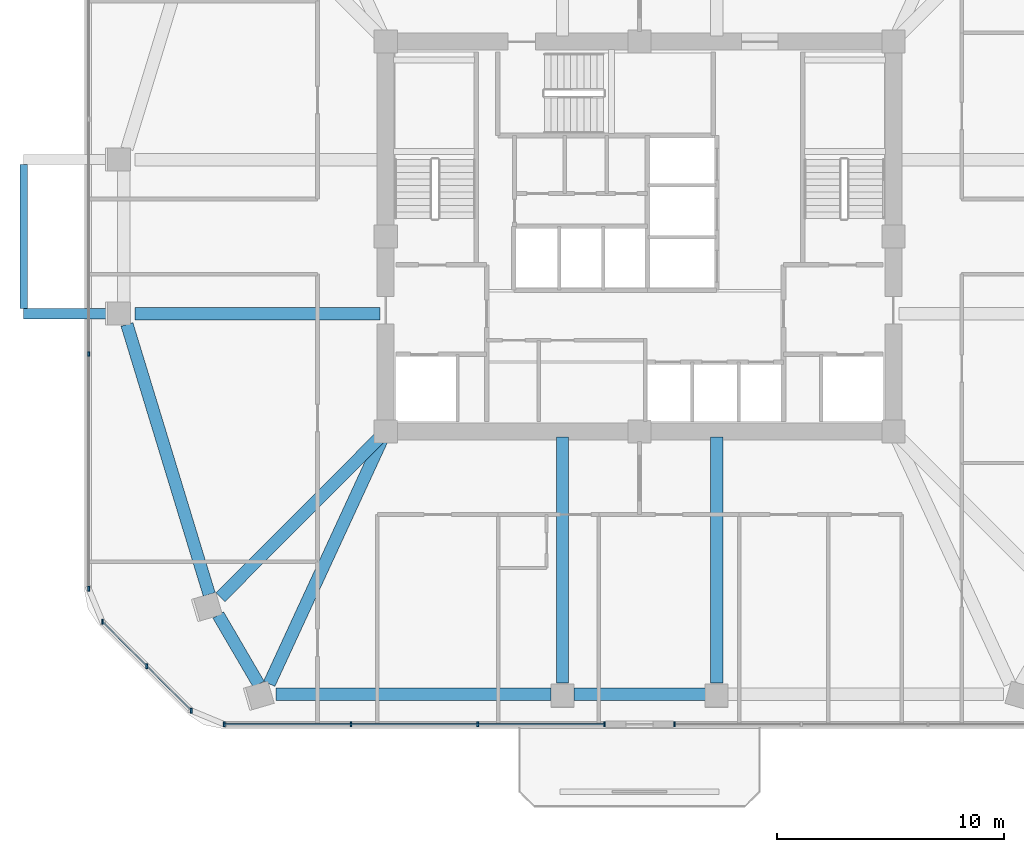
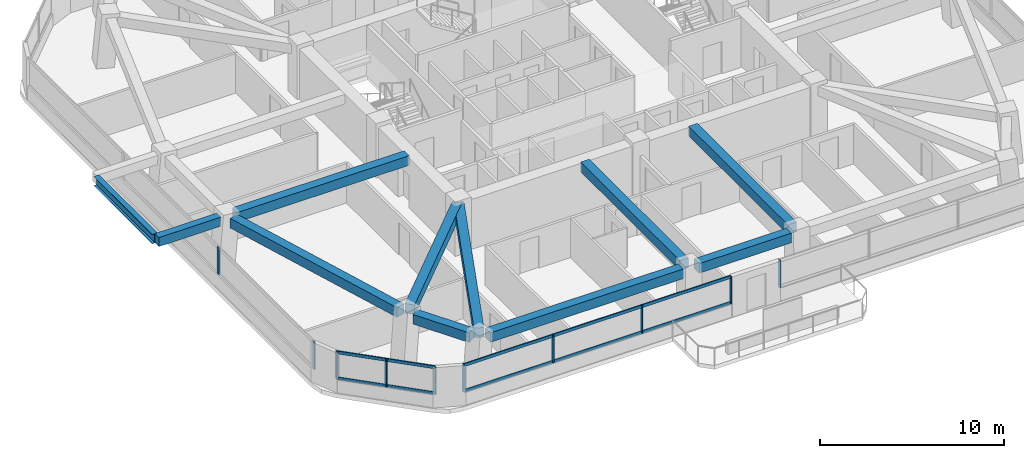
# One storey, part 2 of 13: 14 members, 11 beams, 4 elements without a shape of their own.
"""IFC4 building model written with IfcOpenShell, lengths in metres."""

from ifc_helpers import new_model, si_unit, derived_unit, direction, frame, origin, origin_2d, place, context, subcontext, project, spatial, rectangle, i_section, extrude, material, material_profile, profile_set, type_object, element, aggregate, save


model = new_model("IFC4")

# Units and contexts
model_context = context("Model", 3, precision=1e-05, world=origin(), true_north=direction((0.0, 1.0)))
body_context = subcontext(model_context, "Body", "Model", "MODEL_VIEW")
ifc_project = project(units=[si_unit("LENGTHUNIT", "METRE"), si_unit("AREAUNIT", "SQUARE_METRE"), si_unit("VOLUMEUNIT", "CUBIC_METRE"), si_unit("PLANEANGLEUNIT", "RADIAN"), si_unit("MASSUNIT", "GRAM", prefix="KILO"), derived_unit("THERMALTRANSMITTANCEUNIT", [(si_unit("POWERUNIT", "WATT"), 1), (si_unit("LENGTHUNIT", "METRE"), -2), (si_unit("THERMODYNAMICTEMPERATUREUNIT", "KELVIN"), -1)])], contexts=[model_context])

# Site, building, storey
site_placement = place(None, origin())
site = spatial("IfcSite", under=ifc_project, at=site_placement, CompositionType="ELEMENT")
building_placement = place(site_placement, origin())
building = spatial("IfcBuilding", under=site, at=building_placement, Name="Koralith Skygarden Medical Center", CompositionType="ELEMENT")
storey_placement = place(building_placement, frame((0.0, 0.0, 117.179931640625)))
storey = spatial("IfcBuildingStorey", under=building, at=storey_placement, Name="L30", CompositionType="ELEMENT", Elevation=117.179931640625)

# Curtain wall, members
ifc_material_1 = material(Name="Clear Laminated Glass", Category="glass")
curtain_wall_type = type_object("IfcCurtainWallType", Name="CW-3 Zone 2 Faceted Solar Curtain Wall", PredefinedType="NOTDEFINED", material=ifc_material_1)
curtain_wall_1_placement = place(storey_placement, origin())
curtain_wall_1 = element("IfcCurtainWall", 1, at=curtain_wall_1_placement, inside=storey, type_object=curtain_wall_type, Name="Curtain Wall CW-L30-S-L", PredefinedType="NOTDEFINED")
ifc_material_2 = material(Name="Aluminium 6063-T6", Category="aluminium")
ifc_material_profile_1 = material_profile(ifc_material_2, rectangle(XDim=0.073974609375, YDim=0.219970703125, at=origin_2d()), Name="MUL74X220")
ifc_profile_set_1 = profile_set([ifc_material_profile_1], Name="Aluminium 6063-T6")
member_type_1 = type_object("IfcMemberType", Name="CW-3 Extruded Mullion 74x220", PredefinedType="MULLION", material=ifc_profile_set_1)
member_1_placement = place(storey_placement, frame((18.674072265625, 4.387939453125, 0.85009765625), z_axis=(0.0, 0.0, 1.0), x_axis=(1.0, 0.0, 0.0)))
member_1 = element("IfcMember", 2, at=member_1_placement, type_object=member_type_1, Name="CW-L30-S-L Mullion 1", PredefinedType="MULLION", context=body_context, shape_type="SweptSolid", body=[
    extrude(rectangle(XDim=0.073974609375, YDim=0.219970703125, at=origin_2d()), origin(), (0.0, 0.0, 1.0), 1.820068359375),
])
member_2_placement = place(storey_placement, frame((24.26904296875, 4.387939453125, 0.85009765625), z_axis=(0.0, 0.0, 1.0), x_axis=(1.0, 0.0, 0.0)))
member_2 = element("IfcMember", 3, at=member_2_placement, type_object=member_type_1, Name="CW-L30-S-L Mullion 2", PredefinedType="MULLION", context=body_context, shape_type="SweptSolid", body=[
    extrude(rectangle(XDim=0.073974609375, YDim=0.219970703125, at=origin_2d()), origin(), (0.0, 0.0, 1.0), 1.820068359375),
])
member_3_placement = place(storey_placement, frame((29.864990234375, 4.387939453125, 0.85009765625), z_axis=(0.0, 0.0, 1.0), x_axis=(1.0, 0.0, 0.0)))
member_3 = element("IfcMember", 4, at=member_3_placement, type_object=member_type_1, Name="CW-L30-S-L Mullion 3", PredefinedType="MULLION", context=body_context, shape_type="SweptSolid", body=[
    extrude(rectangle(XDim=0.073974609375, YDim=0.219970703125, at=origin_2d()), origin(), (0.0, 0.0, 1.0), 1.820068359375),
])
member_4_placement = place(storey_placement, frame((35.4599609375, 4.387939453125, 0.85009765625), z_axis=(0.0, 0.0, 1.0), x_axis=(1.0, 0.0, 0.0)))
member_4 = element("IfcMember", 5, at=member_4_placement, type_object=member_type_1, Name="CW-L30-S-L Mullion 4", PredefinedType="MULLION", context=body_context, shape_type="SweptSolid", body=[
    extrude(rectangle(XDim=0.073974609375, YDim=0.219970703125, at=origin_2d()), origin(), (0.0, 0.0, 1.0), 1.820068359375),
])

# Curtain wall, member
curtain_wall_2_placement = place(storey_placement, origin())
curtain_wall_2 = element("IfcCurtainWall", 6, at=curtain_wall_2_placement, inside=storey, type_object=curtain_wall_type, Name="Curtain Wall CW-L30-S-R", PredefinedType="NOTDEFINED")
member_5_placement = place(storey_placement, frame((38.5400390625, 4.387939453125, 0.85009765625), z_axis=(0.0, 0.0, 1.0), x_axis=(1.0, 0.0, 0.0)))
member_5 = element("IfcMember", 7, at=member_5_placement, type_object=member_type_1, Name="CW-L30-S-R Mullion 1", PredefinedType="MULLION", context=body_context, shape_type="SweptSolid", body=[
    extrude(rectangle(XDim=0.073974609375, YDim=0.219970703125, at=origin_2d()), origin(), (0.0, 0.0, 1.0), 1.820068359375),
])
aggregate(curtain_wall_2, [member_5])

# Curtain wall, members
curtain_wall_3_placement = place(storey_placement, origin())
curtain_wall_3 = element("IfcCurtainWall", 8, at=curtain_wall_3_placement, inside=storey, type_object=curtain_wall_type, Name="Curtain Wall CW-L30-W", PredefinedType="NOTDEFINED")
member_6_placement = place(storey_placement, frame((12.697998046875, 20.720947265625, 0.85009765625), z_axis=(0.0, 0.0, 1.0), x_axis=(1.0, 0.0, 0.0)))
member_6 = element("IfcMember", 9, at=member_6_placement, type_object=member_type_1, Name="CW-L30-W Mullion 3", PredefinedType="MULLION", context=body_context, shape_type="SweptSolid", body=[
    extrude(rectangle(XDim=0.073974609375, YDim=0.219970703125, at=origin_2d()), origin(), (0.0, 0.0, 1.0), 1.820068359375),
])
member_7_placement = place(storey_placement, frame((12.697998046875, 10.363037109375, 0.85009765625), z_axis=(0.0, 0.0, 1.0), x_axis=(1.0, 0.0, 0.0)))
member_7 = element("IfcMember", 10, at=member_7_placement, type_object=member_type_1, Name="CW-L30-W Mullion 4", PredefinedType="MULLION", context=body_context, shape_type="SweptSolid", body=[
    extrude(rectangle(XDim=0.073974609375, YDim=0.219970703125, at=origin_2d()), origin(), (0.0, 0.0, 1.0), 1.820068359375),
])
aggregate(curtain_wall_3, [member_6, member_7])

curtain_wall_4_placement = place(storey_placement, origin())
curtain_wall_4 = element("IfcCurtainWall", 11, at=curtain_wall_4_placement, inside=storey, type_object=curtain_wall_type, Name="Curtain Wall CW-L30-SW", PredefinedType="NOTDEFINED")
member_8_placement = place(storey_placement, frame((13.300048828125, 8.912109375, 0.85009765625), z_axis=(0.0, 0.0, 1.0), x_axis=(1.0, 0.0, 0.0)))
member_8 = element("IfcMember", 12, at=member_8_placement, type_object=member_type_1, Name="CW-L30-SW Mullion 1", PredefinedType="MULLION", context=body_context, shape_type="SweptSolid", body=[
    extrude(rectangle(XDim=0.073974609375, YDim=0.219970703125, at=origin_2d()), origin(), (0.0, 0.0, 1.0), 1.820068359375),
])
member_9_placement = place(storey_placement, frame((15.260986328125, 6.949951171875, 0.85009765625), z_axis=(0.0, 0.0, 1.0), x_axis=(1.0, 0.0, 0.0)))
member_9 = element("IfcMember", 13, at=member_9_placement, type_object=member_type_1, Name="CW-L30-SW Mullion 2", PredefinedType="MULLION", context=body_context, shape_type="SweptSolid", body=[
    extrude(rectangle(XDim=0.073974609375, YDim=0.219970703125, at=origin_2d()), origin(), (0.0, 0.0, 1.0), 1.820068359375),
])
member_10_placement = place(storey_placement, frame((17.222900390625, 4.989013671875, 0.85009765625), z_axis=(0.0, 0.0, 1.0), x_axis=(1.0, 0.0, 0.0)))
member_10 = element("IfcMember", 14, at=member_10_placement, type_object=member_type_1, Name="CW-L30-SW Mullion 3", PredefinedType="MULLION", context=body_context, shape_type="SweptSolid", body=[
    extrude(rectangle(XDim=0.073974609375, YDim=0.219970703125, at=origin_2d()), origin(), (0.0, 0.0, 1.0), 1.820068359375),
])

# Member
ifc_material_profile_2 = material_profile(ifc_material_2, rectangle(XDim=0.069091796875, YDim=0.197998046875, at=origin_2d()), Name="TRN69X198")
ifc_profile_set_2 = profile_set([ifc_material_profile_2], Name="Aluminium 6063-T6")
member_type_2 = type_object("IfcMemberType", Name="CW-3 Thermal Transom 69x198", PredefinedType="USERDEFINED", material=ifc_profile_set_2)
member_11_placement = place(storey_placement, frame((18.674072265625, 4.387939453125, 0.900146484375), z_axis=(1.0, 0.0, 0.0), x_axis=(0.0, 1.0, 0.0)))
member_11 = element("IfcMember", 15, at=member_11_placement, type_object=member_type_2, Name="CW-L30-S-L Transom 1", ObjectType="TRANSOM", PredefinedType="USERDEFINED", context=body_context, shape_type="SweptSolid", body=[
    extrude(rectangle(XDim=0.069091796875, YDim=0.197998046875, at=origin_2d()), origin(), (0.0, 0.0, 1.0), 16.785888671875),
])

member_12_placement = place(storey_placement, frame((18.674072265625, 4.387939453125, 2.6201171875), z_axis=(1.0, 0.0, 0.0), x_axis=(0.0, 1.0, 0.0)))
member_12 = element("IfcMember", 16, at=member_12_placement, type_object=member_type_2, Name="CW-L30-S-L Transom 2", ObjectType="TRANSOM", PredefinedType="USERDEFINED", context=body_context, shape_type="SweptSolid", body=[
    extrude(rectangle(XDim=0.069091796875, YDim=0.197998046875, at=origin_2d()), origin(), (0.0, 0.0, 1.0), 16.785888671875),
])

aggregate(curtain_wall_1, [member_1, member_2, member_3, member_4, member_11, member_12])

member_13_placement = place(storey_placement, frame((13.300048828125, 8.912109375, 0.900146484375), z_axis=(0.707084777957, -0.707128783731, 0.0), x_axis=(0.707128783731, 0.707084777957, 0.0)))
member_13 = element("IfcMember", 17, at=member_13_placement, type_object=member_type_2, Name="CW-L30-SW Transom 1", ObjectType="TRANSOM", PredefinedType="USERDEFINED", context=body_context, shape_type="SweptSolid", body=[
    extrude(rectangle(XDim=0.069091796875, YDim=0.197998046875, at=origin_2d()), origin(), (0.0, 0.0, 1.0), 5.5478515625),
])

member_14_placement = place(storey_placement, frame((13.300048828125, 8.912109375, 2.6201171875), z_axis=(0.707084777957, -0.707128783731, 0.0), x_axis=(0.707128783731, 0.707084777957, 0.0)))
member_14 = element("IfcMember", 18, at=member_14_placement, type_object=member_type_2, Name="CW-L30-SW Transom 2", ObjectType="TRANSOM", PredefinedType="USERDEFINED", context=body_context, shape_type="SweptSolid", body=[
    extrude(rectangle(XDim=0.069091796875, YDim=0.197998046875, at=origin_2d()), origin(), (0.0, 0.0, 1.0), 5.5478515625),
])

aggregate(curtain_wall_4, [member_8, member_9, member_10, member_13, member_14])

# Beams
ifc_material_3 = material(Name="Steel ASTM A992 Grade 50", Category="steel")
ifc_material_profile_3 = material_profile(ifc_material_3, i_section(OverallWidth=0.326904296875, OverallDepth=0.6220703125, WebThickness=0.015380859375, FlangeThickness=0.0244140625, at=origin_2d()), Name="W24X131")
ifc_profile_set_3 = profile_set([ifc_material_profile_3], Name="Steel ASTM A992 Grade 50")
beam_type_1 = type_object("IfcBeamType", Name="Cantilever Tie Beam W24X131", PredefinedType="BEAM", material=ifc_profile_set_3)
beam_1_placement = place(storey_placement, frame((9.830078125, 22.719970703125, 3.029052734375), z_axis=(0.0, 1.0, 0.0), x_axis=(-1.0, 0.0, 0.0)))
element("IfcBeam", 19, at=beam_1_placement, inside=storey, type_object=beam_type_1, Name="L31 W Balcony Tip Tie Beam", PredefinedType="BEAM", context=body_context, shape_type="SweptSolid", body=[
    extrude(i_section(OverallWidth=0.326904296875, OverallDepth=0.6220703125, WebThickness=0.015380859375, FlangeThickness=0.0244140625, at=origin_2d()), origin(), (0.0, 0.0, 1.0), 6.360107421875),
])
ifc_material_4 = material(Name="Concrete C45/55", Category="concrete")
ifc_material_profile_4 = material_profile(ifc_material_4, rectangle(XDim=0.449951171875, YDim=0.60009765625, at=origin_2d()), Name="RCB450X600")
ifc_profile_set_4 = profile_set([ifc_material_profile_4], Name="Concrete C45/55")
beam_type_2 = type_object("IfcBeamType", Name="Planted Balcony Cantilever Beam RCB450X600", PredefinedType="BEAM", material=ifc_profile_set_4)
beam_2_placement = place(storey_placement, frame((13.75, 22.5, 3.0400390625), z_axis=(-1.0, 0.0, 0.0), x_axis=(0.0, -1.0, 0.0)))
element("IfcBeam", 20, at=beam_2_placement, inside=storey, type_object=beam_type_2, Name="L31 W Balcony Cantilever Beam A", PredefinedType="BEAM", context=body_context, shape_type="SweptSolid", body=[
    extrude(rectangle(XDim=0.449951171875, YDim=0.60009765625, at=origin_2d()), origin(), (0.0, 0.0, 1.0), 3.919921875),
])
ifc_material_profile_5 = material_profile(ifc_material_4, rectangle(XDim=0.550048828125, YDim=0.639892578125, at=origin_2d()), Name="RCB550X640")
ifc_profile_set_5 = profile_set([ifc_material_profile_5], Name="Concrete C45/55")
beam_type_3 = type_object("IfcBeamType", Name="Radial Collector Beam RCB550X640", PredefinedType="BEAM", material=ifc_profile_set_5)
beam_3_placement = place(storey_placement, frame((25.550048828125, 22.5, 3.0), z_axis=(-1.0, 0.0, 0.0), x_axis=(0.0, -1.0, 0.0)))
element("IfcBeam", 21, at=beam_3_placement, inside=storey, type_object=beam_type_3, Name="L30 Radial Collector Beam RB-01", PredefinedType="BEAM", context=body_context, shape_type="SweptSolid", body=[
    extrude(rectangle(XDim=0.550048828125, YDim=0.639892578125, at=origin_2d()), origin(), (0.0, 0.0, 1.0), 10.81005859375),
])
beam_4_placement = place(storey_placement, frame((25.6240234375, 17.123046875, 3.0), z_axis=(-0.706015026084, -0.708196853243, 0.0), x_axis=(0.708196853243, -0.706015026084, 0.0)))
element("IfcBeam", 22, at=beam_4_placement, inside=storey, type_object=beam_type_3, Name="L30 Radial Collector Beam RB-02", PredefinedType="BEAM", context=body_context, shape_type="SweptSolid", body=[
    extrude(rectangle(XDim=0.550048828125, YDim=0.639892578125, at=origin_2d()), origin(), (0.0, 0.0, 1.0), 10.07080078125),
])
beam_5_placement = place(storey_placement, frame((25.695068359375, 17.072998046875, 3.0), z_axis=(-0.419111035771, -0.907934986491, 0.0), x_axis=(0.907934986491, -0.419111035771, 0.0)))
element("IfcBeam", 23, at=beam_5_placement, inside=storey, type_object=beam_type_3, Name="L30 Radial Collector Beam RB-03", PredefinedType="BEAM", context=body_context, shape_type="SweptSolid", body=[
    extrude(rectangle(XDim=0.550048828125, YDim=0.639892578125, at=origin_2d()), origin(), (0.0, 0.0, 1.0), 12.008544921875),
])
for number, where, z_axis, x_axis, name in (
    (24, (33.60009765625, 17.050048828125, 3.0), (0.0, -1.0, 0.0), (1.0, 0.0, 0.0), "L30 Radial Collector Beam RB-04"),
    (25, (40.39990234375, 17.050048828125, 3.0), (0.0, -1.0, 0.0), (1.0, 0.0, 0.0), "L30 Radial Collector Beam RB-05"),
):
    element("IfcBeam", number, at=place(storey_placement, frame(where, z_axis=z_axis, x_axis=x_axis)), inside=storey, type_object=beam_type_3, Name=name, PredefinedType="BEAM", context=body_context, shape_type="SweptSolid", body=[
        extrude(rectangle(XDim=0.550048828125, YDim=0.639892578125, at=origin_2d()), origin(), (0.0, 0.0, 1.0), 10.833984375),
    ])
ifc_material_profile_6 = material_profile(ifc_material_4, rectangle(XDim=0.550048828125, YDim=0.639892578125, at=origin_2d()), Name="RCB550X640")
ifc_profile_set_6 = profile_set([ifc_material_profile_6], Name="Concrete C45/55")
beam_type_4 = type_object("IfcBeamType", Name="Zone 2-3 Spandrel Beam RCB550X640", PredefinedType="SPANDREL", material=ifc_profile_set_6)
beam_6_placement = place(storey_placement, frame((14.385986328125, 22.02197265625, 3.0), z_axis=(0.29153231272, -0.95656098114, 0.0), x_axis=(0.95656098114, 0.29153231272, 0.0)))
element("IfcBeam", 26, at=beam_6_placement, inside=storey, type_object=beam_type_4, Name="L30 Perimeter Spandrel Beam SP-01", PredefinedType="SPANDREL", context=body_context, shape_type="SweptSolid", body=[
    extrude(rectangle(XDim=0.550048828125, YDim=0.639892578125, at=origin_2d()), origin(), (0.0, 0.0, 1.0), 12.44775390625),
])
beam_7_placement = place(storey_placement, frame((18.4130859375, 9.205078125, 3.0), z_axis=(0.504616741927, -0.863343468016, 0.0), x_axis=(0.863343468016, 0.504616741927, 0.0)))
element("IfcBeam", 27, at=beam_7_placement, inside=storey, type_object=beam_type_4, Name="L30 Perimeter Spandrel Beam SP-02", PredefinedType="SPANDREL", context=body_context, shape_type="SweptSolid", body=[
    extrude(rectangle(XDim=0.550048828125, YDim=0.639892578125, at=origin_2d()), origin(), (0.0, 0.0, 1.0), 3.541015625),
])
beam_8_placement = place(storey_placement, frame((20.951904296875, 5.716064453125, 3.0), z_axis=(1.0, 0.0, 0.0), x_axis=(0.0, 1.0, 0.0)))
element("IfcBeam", 28, at=beam_8_placement, inside=storey, type_object=beam_type_4, Name="L30 Perimeter Spandrel Beam SP-03", PredefinedType="SPANDREL", context=body_context, shape_type="SweptSolid", body=[
    extrude(rectangle(XDim=0.550048828125, YDim=0.639892578125, at=origin_2d()), origin(), (0.0, 0.0, 1.0), 12.148193359375),
])
beam_9_placement = place(storey_placement, frame((34.10009765625, 5.716064453125, 3.0), z_axis=(1.0, 0.0, 0.0), x_axis=(0.0, 1.0, 0.0)))
element("IfcBeam", 29, at=beam_9_placement, inside=storey, type_object=beam_type_4, Name="L30 Perimeter Spandrel Beam SP-04", PredefinedType="SPANDREL", context=body_context, shape_type="SweptSolid", body=[
    extrude(rectangle(XDim=0.550048828125, YDim=0.639892578125, at=origin_2d()), origin(), (0.0, 0.0, 1.0), 5.7998046875),
])

save(model, "model.ifc")
